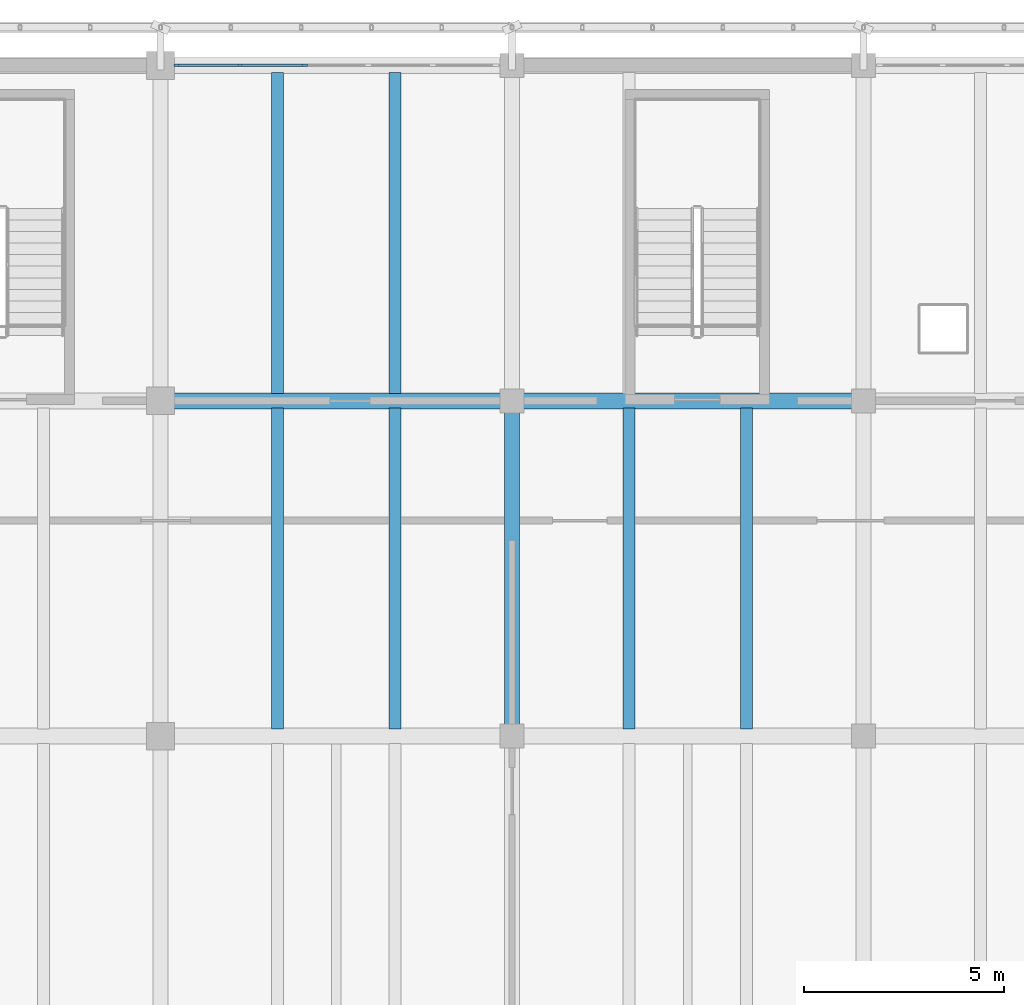
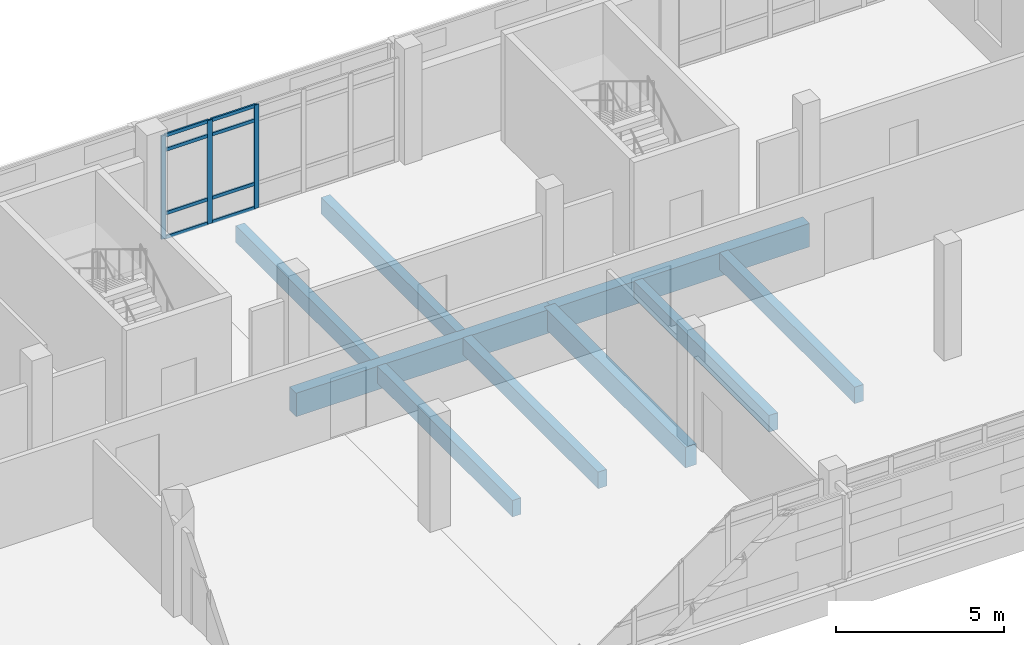
# One storey, part 75 of 137: 11 members, 9 beams, 1 element without a shape of its own.
"""IFC4 building model written with IfcOpenShell, lengths in metres."""

from ifc_helpers import new_model, si_unit, direction, frame, origin, origin_2d, place, context, subcontext, project, spatial, rectangle, extrude, material, material_profile, profile_set, type_object, element, aggregate, save


model = new_model("IFC4")

# Units and contexts
model_context = context("Model", 3, precision=1e-05, world=origin(), true_north=direction((0.0, 1.0)))
body_context = subcontext(model_context, "Body", "Model", "MODEL_VIEW")
ifc_project = project(units=[si_unit("LENGTHUNIT", "METRE"), si_unit("AREAUNIT", "SQUARE_METRE"), si_unit("VOLUMEUNIT", "CUBIC_METRE"), si_unit("PLANEANGLEUNIT", "RADIAN"), si_unit("MASSUNIT", "GRAM", prefix="KILO")], contexts=[model_context])

# Site, building, storey
site_placement = place(None, origin())
site = spatial("IfcSite", under=ifc_project, at=site_placement, CompositionType="ELEMENT")
building_placement = place(site_placement, origin())
building = spatial("IfcBuilding", under=site, at=building_placement, Name="Cinderway Yard Community Centre", CompositionType="ELEMENT")
storey_placement = place(building_placement, frame((0.0, 0.0, 4.800048828125)))
storey = spatial("IfcBuildingStorey", under=building, at=storey_placement, Name="L01", CompositionType="ELEMENT", Elevation=4.800048828125)

# Curtain wall, members
ifc_material_1 = material(Name="Aluminium 6063-T6", Category="aluminium")
curtain_wall_type = type_object("IfcCurtainWallType", Name="ENV-CW-TYPE-27", PredefinedType="USERDEFINED", material=ifc_material_1)
curtain_wall_placement = place(storey_placement, origin())
curtain_wall = element("IfcCurtainWall", 1, at=curtain_wall_placement, inside=storey, type_object=curtain_wall_type, Name="V4 Street Curtain Wall ENV-CW-L01-ST-0135", ObjectType="GLAZED CURTAIN WALL", PredefinedType="USERDEFINED")
ifc_material_profile_1 = material_profile(ifc_material_1, rectangle(XDim=0.06005859375, YDim=0.159912109375, at=origin_2d()), Name="Aluminium 6063-T6")
ifc_profile_set_1 = profile_set([ifc_material_profile_1], Name="Aluminium 6063-T6")
member_type_1 = type_object("IfcMemberType", Name="ENV-CW-MULL-150", PredefinedType="MULLION", material=ifc_profile_set_1)
member_1_placement = place(storey_placement, frame((119.610107421875, 115.199951171875, 0.0), z_axis=(0.0, 0.0, 1.0), x_axis=(0.0, 1.0, 0.0)))
member_1 = element("IfcMember", 2, at=member_1_placement, type_object=member_type_1, Name="CW-27 mullion 1", PredefinedType="MULLION", context=body_context, shape_type="SweptSolid", body=[
    extrude(rectangle(XDim=0.06005859375, YDim=0.159912109375, at=origin_2d()), origin(), (0.0, 0.0, 1.0), 3.75),
])
member_2_placement = place(storey_placement, frame((121.18798828125, 115.199951171875, 0.0), z_axis=(0.0, 0.0, 1.0), x_axis=(0.0, 1.0, 0.0)))
member_2 = element("IfcMember", 3, at=member_2_placement, type_object=member_type_1, Name="CW-27 mullion 2", PredefinedType="MULLION", context=body_context, shape_type="SweptSolid", body=[
    extrude(rectangle(XDim=0.06005859375, YDim=0.159912109375, at=origin_2d()), origin(), (0.0, 0.0, 1.0), 3.75),
])
member_3_placement = place(storey_placement, frame((122.7958984375, 115.199951171875, 0.0), z_axis=(0.0, 0.0, 1.0), x_axis=(0.0, 1.0, 0.0)))
member_3 = element("IfcMember", 4, at=member_3_placement, type_object=member_type_1, Name="CW-27 mullion 3", PredefinedType="MULLION", context=body_context, shape_type="SweptSolid", body=[
    extrude(rectangle(XDim=0.06005859375, YDim=0.159912109375, at=origin_2d()), origin(), (0.0, 0.0, 1.0), 3.75),
])
ifc_material_profile_2 = material_profile(ifc_material_1, rectangle(XDim=0.06005859375, YDim=0.1201171875, at=origin_2d()), Name="Aluminium 6063-T6")
ifc_profile_set_2 = profile_set([ifc_material_profile_2], Name="Aluminium 6063-T6")
member_type_2 = type_object("IfcMemberType", Name="ENV-CW-TRAN-110", PredefinedType="USERDEFINED", material=ifc_profile_set_2)
member_4_placement = place(storey_placement, frame((119.639892578125, 115.199951171875, 0.030029296875), z_axis=(1.0, 0.0, 0.0), x_axis=(0.0, 1.0, 0.0)))
member_4 = element("IfcMember", 5, at=member_4_placement, type_object=member_type_2, Name="CW-27 transom 1.1", ObjectType="TRANSOM", PredefinedType="USERDEFINED", context=body_context, shape_type="SweptSolid", body=[
    extrude(rectangle(XDim=0.06005859375, YDim=0.1201171875, at=origin_2d()), origin(), (0.0, 0.0, 1.0), 1.51806640625),
])
member_5_placement = place(storey_placement, frame((119.639892578125, 115.199951171875, 0.89990234375), z_axis=(1.0, 0.0, 0.0), x_axis=(0.0, 1.0, 0.0)))
member_5 = element("IfcMember", 6, at=member_5_placement, type_object=member_type_2, Name="CW-27 transom 1.2", ObjectType="TRANSOM", PredefinedType="USERDEFINED", context=body_context, shape_type="SweptSolid", body=[
    extrude(rectangle(XDim=0.06005859375, YDim=0.1201171875, at=origin_2d()), origin(), (0.0, 0.0, 1.0), 1.51806640625),
])
member_6_placement = place(storey_placement, frame((119.639892578125, 115.199951171875, 3.199951171875), z_axis=(1.0, 0.0, 0.0), x_axis=(0.0, 1.0, 0.0)))
member_6 = element("IfcMember", 7, at=member_6_placement, type_object=member_type_2, Name="CW-27 transom 1.3", ObjectType="TRANSOM", PredefinedType="USERDEFINED", context=body_context, shape_type="SweptSolid", body=[
    extrude(rectangle(XDim=0.06005859375, YDim=0.1201171875, at=origin_2d()), origin(), (0.0, 0.0, 1.0), 1.51806640625),
])
member_7_placement = place(storey_placement, frame((119.639892578125, 115.199951171875, 3.719970703125), z_axis=(1.0, 0.0, 0.0), x_axis=(0.0, 1.0, 0.0)))
member_7 = element("IfcMember", 8, at=member_7_placement, type_object=member_type_2, Name="CW-27 transom 1.4", ObjectType="TRANSOM", PredefinedType="USERDEFINED", context=body_context, shape_type="SweptSolid", body=[
    extrude(rectangle(XDim=0.06005859375, YDim=0.1201171875, at=origin_2d()), origin(), (0.0, 0.0, 1.0), 1.51806640625),
])
member_8_placement = place(storey_placement, frame((121.218017578125, 115.199951171875, 0.030029296875), z_axis=(1.0, 0.0, 0.0), x_axis=(0.0, 1.0, 0.0)))
member_8 = element("IfcMember", 9, at=member_8_placement, type_object=member_type_2, Name="CW-27 transom 2.1", ObjectType="TRANSOM", PredefinedType="USERDEFINED", context=body_context, shape_type="SweptSolid", body=[
    extrude(rectangle(XDim=0.06005859375, YDim=0.1201171875, at=origin_2d()), origin(), (0.0, 0.0, 1.0), 1.548095703125),
])
member_9_placement = place(storey_placement, frame((121.218017578125, 115.199951171875, 0.89990234375), z_axis=(1.0, 0.0, 0.0), x_axis=(0.0, 1.0, 0.0)))
member_9 = element("IfcMember", 10, at=member_9_placement, type_object=member_type_2, Name="CW-27 transom 2.2", ObjectType="TRANSOM", PredefinedType="USERDEFINED", context=body_context, shape_type="SweptSolid", body=[
    extrude(rectangle(XDim=0.06005859375, YDim=0.1201171875, at=origin_2d()), origin(), (0.0, 0.0, 1.0), 1.548095703125),
])
member_10_placement = place(storey_placement, frame((121.218017578125, 115.199951171875, 3.199951171875), z_axis=(1.0, 0.0, 0.0), x_axis=(0.0, 1.0, 0.0)))
member_10 = element("IfcMember", 11, at=member_10_placement, type_object=member_type_2, Name="CW-27 transom 2.3", ObjectType="TRANSOM", PredefinedType="USERDEFINED", context=body_context, shape_type="SweptSolid", body=[
    extrude(rectangle(XDim=0.06005859375, YDim=0.1201171875, at=origin_2d()), origin(), (0.0, 0.0, 1.0), 1.548095703125),
])
member_11_placement = place(storey_placement, frame((121.218017578125, 115.199951171875, 3.719970703125), z_axis=(1.0, 0.0, 0.0), x_axis=(0.0, 1.0, 0.0)))
member_11 = element("IfcMember", 12, at=member_11_placement, type_object=member_type_2, Name="CW-27 transom 2.4", ObjectType="TRANSOM", PredefinedType="USERDEFINED", context=body_context, shape_type="SweptSolid", body=[
    extrude(rectangle(XDim=0.06005859375, YDim=0.1201171875, at=origin_2d()), origin(), (0.0, 0.0, 1.0), 1.548095703125),
])
aggregate(curtain_wall, [member_1, member_2, member_3, member_4, member_5, member_6, member_7, member_8, member_9, member_10, member_11])

# Beams
ifc_material_2 = material(Name="Concrete C35/45", Category="concrete")
ifc_material_profile_3 = material_profile(ifc_material_2, rectangle(XDim=0.300048828125, YDim=0.60009765625, at=origin_2d()), Name="Concrete C35/45")
ifc_profile_set_3 = profile_set([ifc_material_profile_3], Name="Concrete C35/45")
beam_type_1 = type_object("IfcBeamType", Name="STR-BM-RC300X600", PredefinedType="JOIST", material=ifc_profile_set_3)
for number, where, z_axis, x_axis, name in (
    (13, (122.133056640625, 98.58203125, -0.56005859375), (0.0, 1.0, 0.0), (-1.0, 0.0, 0.0), "Secondary joist STR-BM-L01-BJ02-0310"),
    (14, (125.06689453125, 98.58203125, -0.56005859375), (0.0, 1.0, 0.0), (-1.0, 0.0, 0.0), "Secondary joist STR-BM-L01-BJ02-0311"),
):
    element("IfcBeam", number, at=place(storey_placement, frame(where, z_axis=z_axis, x_axis=x_axis)), inside=storey, type_object=beam_type_1, Name=name, PredefinedType="JOIST", context=body_context, shape_type="SweptSolid", body=[
        extrude(rectangle(XDim=0.300048828125, YDim=0.60009765625, at=origin_2d()), origin(), (0.0, 0.0, 1.0), 8.035888671875),
    ])
for number, where, z_axis, x_axis, name in (
    (15, (122.133056640625, 106.98193359375, -0.56005859375), (0.0, 1.0, 0.0), (-1.0, 0.0, 0.0), "Secondary joist STR-BM-L01-BJ02-0312"),
    (16, (125.06689453125, 106.98193359375, -0.56005859375), (0.0, 1.0, 0.0), (-1.0, 0.0, 0.0), "Secondary joist STR-BM-L01-BJ02-0313"),
):
    element("IfcBeam", number, at=place(storey_placement, frame(where, z_axis=z_axis, x_axis=x_axis)), inside=storey, type_object=beam_type_1, Name=name, PredefinedType="JOIST", context=body_context, shape_type="SweptSolid", body=[
        extrude(rectangle(XDim=0.300048828125, YDim=0.60009765625, at=origin_2d()), origin(), (0.0, 0.0, 1.0), 8.0361328125),
    ])
for number, where, z_axis, x_axis, name in (
    (17, (130.93310546875, 98.58203125, -0.56005859375), (0.0, 1.0, 0.0), (-1.0, 0.0, 0.0), "Secondary joist STR-BM-L01-BJ02-0316"),
    (18, (133.866943359375, 98.58203125, -0.56005859375), (0.0, 1.0, 0.0), (-1.0, 0.0, 0.0), "Secondary joist STR-BM-L01-BJ02-0317"),
):
    element("IfcBeam", number, at=place(storey_placement, frame(where, z_axis=z_axis, x_axis=x_axis)), inside=storey, type_object=beam_type_1, Name=name, PredefinedType="JOIST", context=body_context, shape_type="SweptSolid", body=[
        extrude(rectangle(XDim=0.300048828125, YDim=0.60009765625, at=origin_2d()), origin(), (0.0, 0.0, 1.0), 8.035888671875),
    ])
ifc_material_profile_4 = material_profile(ifc_material_2, rectangle(XDim=0.3798828125, YDim=0.75, at=origin_2d()), Name="Concrete C35/45")
ifc_profile_set_4 = profile_set([ifc_material_profile_4], Name="Concrete C35/45")
beam_type_2 = type_object("IfcBeamType", Name="STR-BM-RC380X750", PredefinedType="BEAM", material=ifc_profile_set_4)
beam_placement = place(storey_placement, frame((128.0, 98.39990234375, -0.635009765625), z_axis=(0.0, 1.0, 0.0), x_axis=(-1.0, 0.0, 0.0)))
element("IfcBeam", 19, at=beam_placement, inside=storey, type_object=beam_type_2, Name="Transverse girder STR-BM-L01-BG06-0251", PredefinedType="BEAM", context=body_context, shape_type="SweptSolid", body=[
    extrude(rectangle(XDim=0.3798828125, YDim=0.75, at=origin_2d()), origin(), (0.0, 0.0, 1.0), 8.400146484375),
])
ifc_material_3 = material(Name="Concrete C40/50", Category="concrete")
ifc_material_profile_5 = material_profile(ifc_material_3, rectangle(XDim=0.39990234375, YDim=0.85009765625, at=origin_2d()), Name="Concrete C40/50")
ifc_profile_set_5 = profile_set([ifc_material_profile_5], Name="Concrete C40/50")
beam_type_3 = type_object("IfcBeamType", Name="STR-BM-RC400X850", PredefinedType="BEAM", material=ifc_profile_set_5)
for number, where, z_axis, x_axis, name in (
    (20, (119.199951171875, 106.800048828125, -0.68505859375), (1.0, 0.0, 0.0), (0.0, 1.0, 0.0), "Primary girder STR-BM-L01-BG04-0205"),
    (21, (128.0, 106.800048828125, -0.68505859375), (1.0, 0.0, 0.0), (0.0, 1.0, 0.0), "Primary girder STR-BM-L01-BG04-0206"),
):
    element("IfcBeam", number, at=place(storey_placement, frame(where, z_axis=z_axis, x_axis=x_axis)), inside=storey, type_object=beam_type_3, Name=name, PredefinedType="BEAM", context=body_context, shape_type="SweptSolid", body=[
        extrude(rectangle(XDim=0.39990234375, YDim=0.85009765625, at=origin_2d()), origin(), (0.0, 0.0, 1.0), 8.800048828125),
    ])

save(model, "model.ifc")
